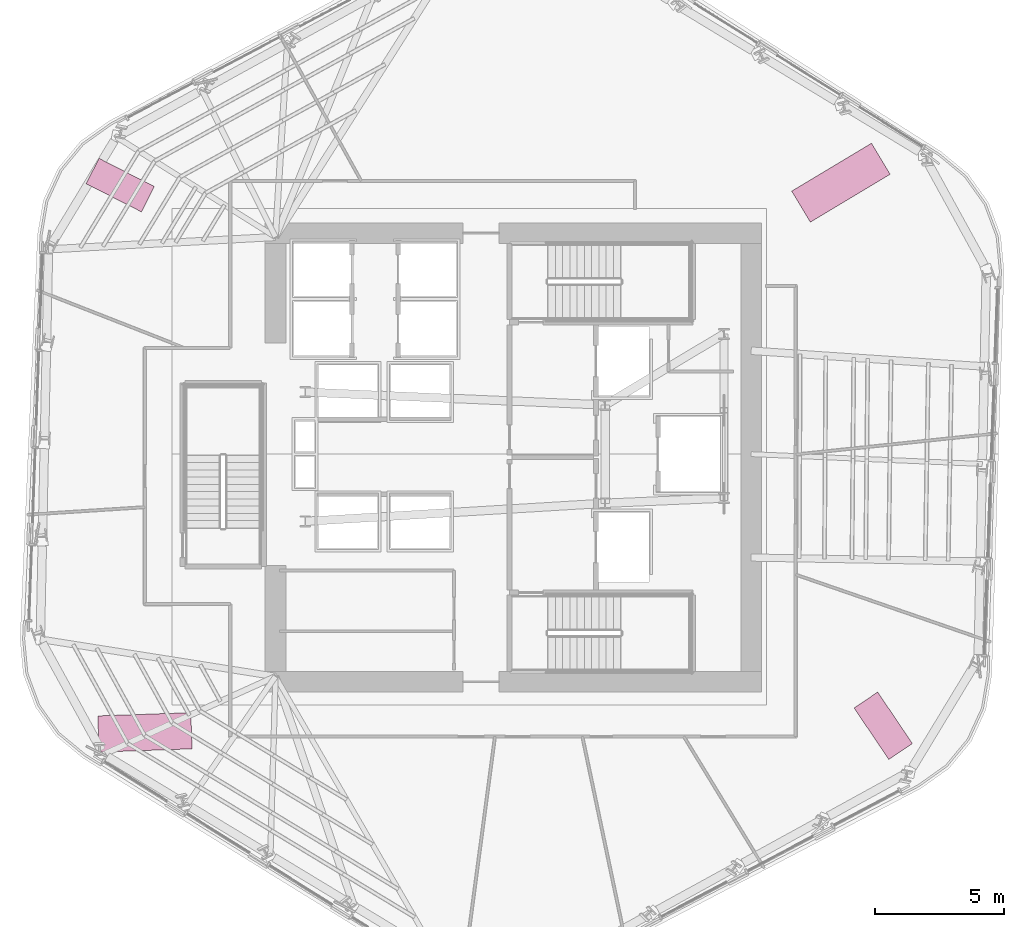
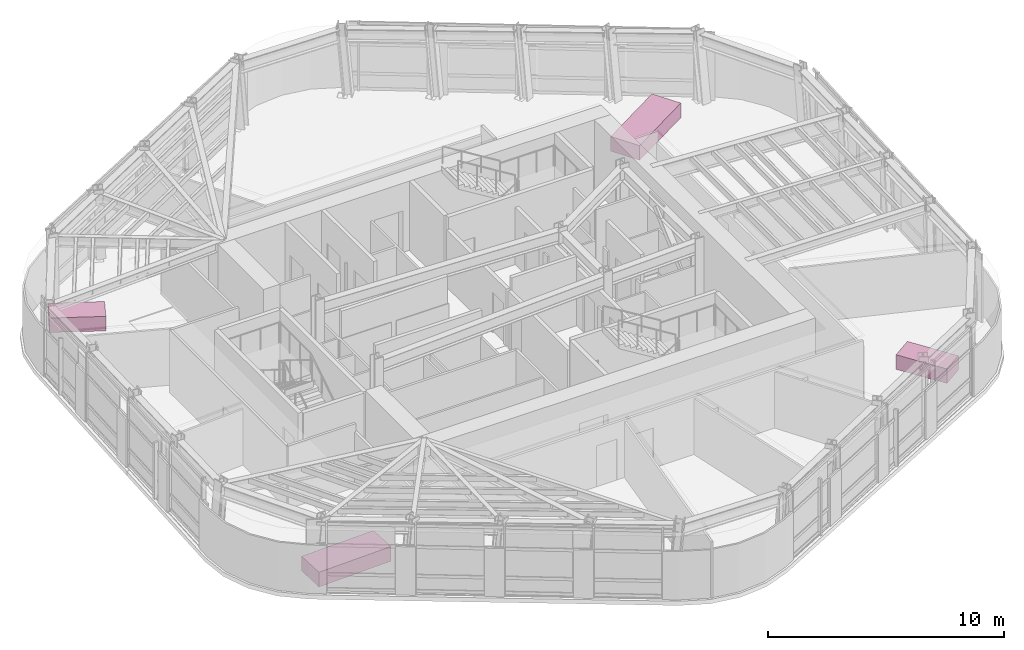
# One storey, part 14 of 14: 4 furniture elements.
"""IFC4 building model written with IfcOpenShell, lengths in metres."""

from ifc_helpers import new_model, si_unit, direction, frame, origin, origin_2d, place, context, subcontext, project, spatial, rectangle, extrude, material, type_object, element, save


model = new_model("IFC4")

# Units and contexts
model_context = context("Model", 3, precision=1e-05, world=origin(), true_north=direction((0.0, 1.0)))
body_context = subcontext(model_context, "Body", "Model", "MODEL_VIEW")
ifc_project = project(units=[si_unit("LENGTHUNIT", "METRE"), si_unit("AREAUNIT", "SQUARE_METRE"), si_unit("VOLUMEUNIT", "CUBIC_METRE"), si_unit("PLANEANGLEUNIT", "RADIAN"), si_unit("MASSUNIT", "GRAM", prefix="KILO")], contexts=[model_context])

# Site, building, storey
site_placement = place(None, origin())
site = spatial("IfcSite", under=ifc_project, at=site_placement, CompositionType="ELEMENT")
building_placement = place(site_placement, origin())
building = spatial("IfcBuilding", under=site, at=building_placement, Name="Valkerne Bourse Tower", CompositionType="ELEMENT")
storey_placement = place(building_placement, frame((0.0, 0.0, 143.800048828125)))
storey = spatial("IfcBuildingStorey", under=building, at=storey_placement, Name="L36", CompositionType="ELEMENT", Elevation=143.800048828125)

# Furniture
ifc_material = material(Name="Architectural White Oak Timber", Category="wood")
furniture_type_1 = type_object("IfcFurnitureType", Name="FURN-CONF-3600", AssemblyPlace="NOTDEFINED", PredefinedType="TABLE", material=ifc_material)
for number, where, z_axis, x_axis, name in (
    (1, (32.550048828125, 16.238037109375, 0.044921875), (0.0, 0.0, 1.0), (0.999390827019, 0.034899496703, 0.0), "L36 Suite Worktable 10"),
    (2, (59.470947265625, 37.4990234375, 0.044921875), (0.0, 0.0, 1.0), (0.857167300702, 0.51503807491, 0.0), "L36 Suite Worktable 11"),
):
    element("IfcFurniture", number, at=place(storey_placement, frame(where, z_axis=z_axis, x_axis=x_axis)), inside=storey, type_object=furniture_type_1, Name=name, PredefinedType="TABLE", context=body_context, shape_type="SweptSolid", body=[
        extrude(rectangle(XDim=3.60009765625, YDim=1.39990234375, at=origin_2d()), origin(), (0.0, 0.0, 1.0), 0.760009765625),
    ])
furniture_type_2 = type_object("IfcFurnitureType", Name="FURN-DESK-2400", AssemblyPlace="NOTDEFINED", PredefinedType="DESK", material=ifc_material)
for number, where, z_axis, x_axis, name in (
    (3, (61.10791015625, 16.493896484375, 0.044921875), (0.0, 0.0, 1.0), (-0.559192903471, 0.829037572555, 0.0), "L36 Suite Worktable 08"),
    (4, (31.594970703125, 37.406005859375, 0.044921875), (0.0, 0.0, 1.0), (-0.891006524188, 0.45399049974, 0.0), "L36 Suite Worktable 09"),
):
    element("IfcFurniture", number, at=place(storey_placement, frame(where, z_axis=z_axis, x_axis=x_axis)), inside=storey, type_object=furniture_type_2, Name=name, PredefinedType="DESK", context=body_context, shape_type="SweptSolid", body=[
        extrude(rectangle(XDim=2.39990234375, YDim=1.10009765625, at=origin_2d()), origin(), (0.0, 0.0, 1.0), 0.75),
    ])

save(model, "model.ifc")
